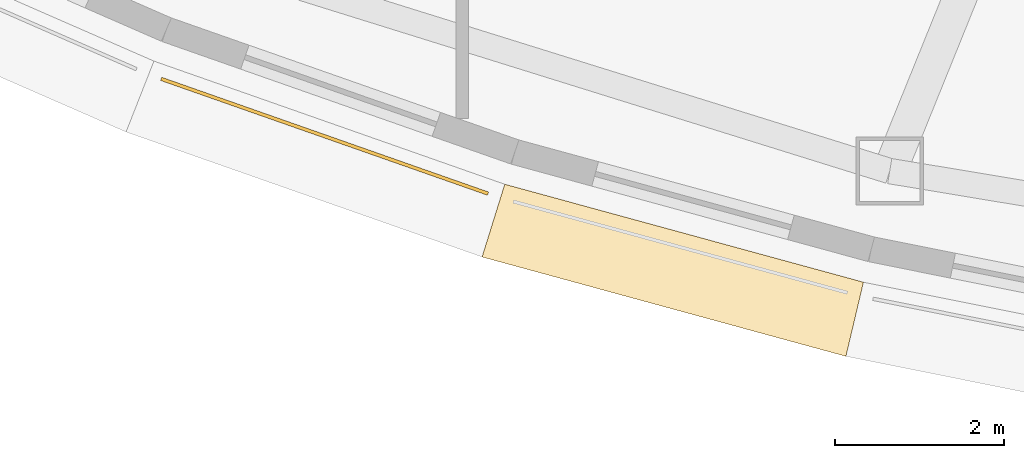
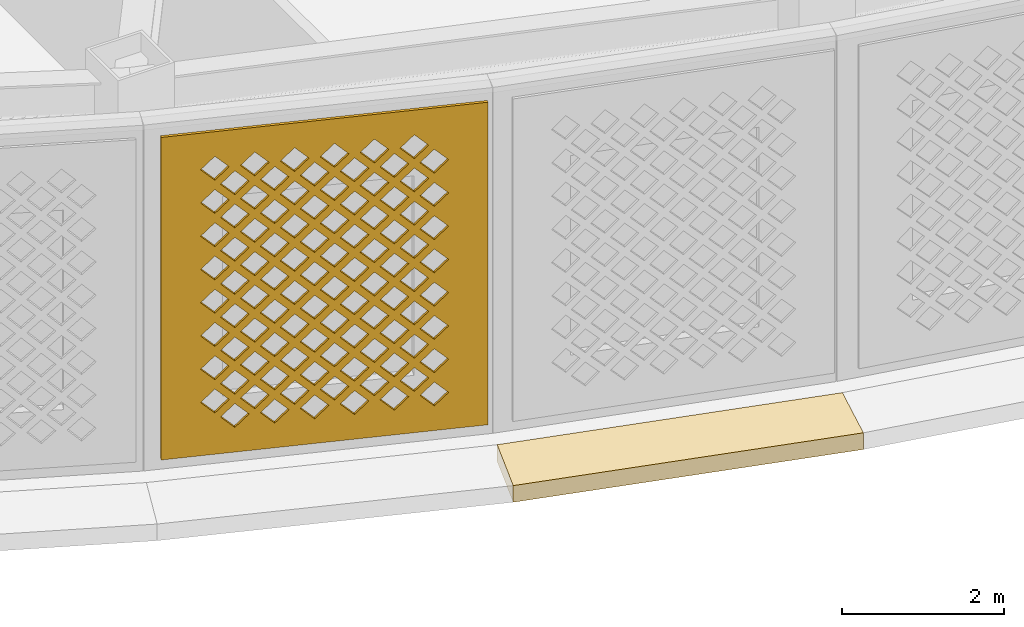
# One storey, part 42 of 63: 2 coverings.
"""IFC4 building model written with IfcOpenShell, lengths in metres."""

from ifc_helpers import new_model, si_unit, direction, frame, origin, place, context, subcontext, project, spatial, polyline, outline, extrude, material, layer, layer_set, type_object, element, save


model = new_model("IFC4")

# Units and contexts
model_context = context("Model", 3, precision=1e-05, world=origin(), true_north=direction((0.0, 1.0)))
body_context = subcontext(model_context, "Body", "Model", "MODEL_VIEW")
ifc_project = project(units=[si_unit("LENGTHUNIT", "METRE"), si_unit("AREAUNIT", "SQUARE_METRE"), si_unit("VOLUMEUNIT", "CUBIC_METRE"), si_unit("PLANEANGLEUNIT", "RADIAN"), si_unit("MASSUNIT", "GRAM", prefix="KILO")], contexts=[model_context])

# Site, building, storey
site_placement = place(None, origin())
site = spatial("IfcSite", under=ifc_project, at=site_placement, CompositionType="ELEMENT")
building_placement = place(site_placement, origin())
building = spatial("IfcBuilding", under=site, at=building_placement, Name="Noorbagh Ring Tower", CompositionType="ELEMENT")
storey_placement = place(building_placement, frame((0.0, 0.0, 25.0)))
storey = spatial("IfcBuildingStorey", under=building, at=storey_placement, Name="L04", CompositionType="ELEMENT", Elevation=25.0)

# Coverings
ifc_material_1 = material(Name="Red sandstone eave", Category="masonry")
covering_type_1 = type_object("IfcCoveringType", Name="STY-CHHAJJA", PredefinedType="USERDEFINED", material=ifc_material_1)
covering_1_placement = place(storey_placement, frame((0.0, 0.0, -0.25)))
element("IfcCovering", 1, at=covering_1_placement, inside=storey, type_object=covering_type_1, Name="Chhajja eave", ObjectType="CHHAJJA", PredefinedType="USERDEFINED", context=body_context, shape_type="SweptSolid", body=[
    extrude(outline(polyline([(-19.49853515625, -37.081298828125), (-15.2568359375, -38.239501953125), (-15.464111328125, -39.115966796875), (-19.7666015625, -37.941162109375), (-19.49853515625, -37.081298828125)])), origin(), (0.0, 0.0, 1.0), 0.25),
])
ifc_material_2 = material(Name="Red sandstone jali", Category="masonry")
ifc_layer = layer(ifc_material_2, 0.0400390625)
ifc_layer_set = layer_set([ifc_layer], Name="Red sandstone jali")
covering_type_2 = type_object("IfcCoveringType", Name="STY-JALI", PredefinedType="USERDEFINED", material=ifc_layer_set)
covering_2_placement = place(storey_placement, frame((-23.568603515625, -35.853759765625, 0.449951171875), z_axis=(-0.331258049676, -0.94354019762, 0.0), x_axis=(0.94354019762, -0.331258049676, 0.0)))
element("IfcCovering", 2, at=covering_2_placement, inside=storey, type_object=covering_type_2, Name="Jali screen", ObjectType="SCREEN", PredefinedType="USERDEFINED", context=body_context, shape_type="SweptSolid", body=[
    extrude(outline(polyline([(0.0, 0.0), (4.096923828125, 0.0), (4.096923828125, 4.85009765625), (0.0, 4.85009765625), (0.0, 0.0)]), holes=[polyline([(0.743408203125, 0.550048828125), (0.92333984375, 0.3701171875), (1.103515625, 0.550048828125), (0.92333984375, 0.72998046875), (0.743408203125, 0.550048828125)]), polyline([(1.243408203125, 0.550048828125), (1.42333984375, 0.3701171875), (1.603515625, 0.550048828125), (1.42333984375, 0.72998046875), (1.243408203125, 0.550048828125)]), polyline([(1.743408203125, 0.550048828125), (1.92333984375, 0.3701171875), (2.103515625, 0.550048828125), (1.92333984375, 0.72998046875), (1.743408203125, 0.550048828125)]), polyline([(2.243408203125, 0.550048828125), (2.42333984375, 0.3701171875), (2.603515625, 0.550048828125), (2.42333984375, 0.72998046875), (2.243408203125, 0.550048828125)]), polyline([(2.743408203125, 0.550048828125), (2.92333984375, 0.3701171875), (3.103515625, 0.550048828125), (2.92333984375, 0.72998046875), (2.743408203125, 0.550048828125)]), polyline([(3.243408203125, 0.550048828125), (3.42333984375, 0.3701171875), (3.603515625, 0.550048828125), (3.42333984375, 0.72998046875), (3.243408203125, 0.550048828125)]), polyline([(0.493408203125, 0.800048828125), (0.67333984375, 0.6201171875), (0.853515625, 0.800048828125), (0.67333984375, 0.97998046875), (0.493408203125, 0.800048828125)]), polyline([(0.993408203125, 0.800048828125), (1.17333984375, 0.6201171875), (1.353515625, 0.800048828125), (1.17333984375, 0.97998046875), (0.993408203125, 0.800048828125)]), polyline([(1.493408203125, 0.800048828125), (1.67333984375, 0.6201171875), (1.853515625, 0.800048828125), (1.67333984375, 0.97998046875), (1.493408203125, 0.800048828125)]), polyline([(1.993408203125, 0.800048828125), (2.17333984375, 0.6201171875), (2.353515625, 0.800048828125), (2.17333984375, 0.97998046875), (1.993408203125, 0.800048828125)]), polyline([(2.493408203125, 0.800048828125), (2.67333984375, 0.6201171875), (2.853515625, 0.800048828125), (2.67333984375, 0.97998046875), (2.493408203125, 0.800048828125)]), polyline([(2.993408203125, 0.800048828125), (3.17333984375, 0.6201171875), (3.353515625, 0.800048828125), (3.17333984375, 0.97998046875), (2.993408203125, 0.800048828125)]), polyline([(0.743408203125, 1.050048828125), (0.92333984375, 0.8701171875), (1.103515625, 1.050048828125), (0.92333984375, 1.22998046875), (0.743408203125, 1.050048828125)]), polyline([(1.243408203125, 1.050048828125), (1.42333984375, 0.8701171875), (1.603515625, 1.050048828125), (1.42333984375, 1.22998046875), (1.243408203125, 1.050048828125)]), polyline([(1.743408203125, 1.050048828125), (1.92333984375, 0.8701171875), (2.103515625, 1.050048828125), (1.92333984375, 1.22998046875), (1.743408203125, 1.050048828125)]), polyline([(2.243408203125, 1.050048828125), (2.42333984375, 0.8701171875), (2.603515625, 1.050048828125), (2.42333984375, 1.22998046875), (2.243408203125, 1.050048828125)]), polyline([(2.743408203125, 1.050048828125), (2.92333984375, 0.8701171875), (3.103515625, 1.050048828125), (2.92333984375, 1.22998046875), (2.743408203125, 1.050048828125)]), polyline([(3.243408203125, 1.050048828125), (3.42333984375, 0.8701171875), (3.603515625, 1.050048828125), (3.42333984375, 1.22998046875), (3.243408203125, 1.050048828125)]), polyline([(0.493408203125, 1.300048828125), (0.67333984375, 1.1201171875), (0.853515625, 1.300048828125), (0.67333984375, 1.47998046875), (0.493408203125, 1.300048828125)]), polyline([(0.993408203125, 1.300048828125), (1.17333984375, 1.1201171875), (1.353515625, 1.300048828125), (1.17333984375, 1.47998046875), (0.993408203125, 1.300048828125)]), polyline([(1.493408203125, 1.300048828125), (1.67333984375, 1.1201171875), (1.853515625, 1.300048828125), (1.67333984375, 1.47998046875), (1.493408203125, 1.300048828125)]), polyline([(1.993408203125, 1.300048828125), (2.17333984375, 1.1201171875), (2.353515625, 1.300048828125), (2.17333984375, 1.47998046875), (1.993408203125, 1.300048828125)]), polyline([(2.493408203125, 1.300048828125), (2.67333984375, 1.1201171875), (2.853515625, 1.300048828125), (2.67333984375, 1.47998046875), (2.493408203125, 1.300048828125)]), polyline([(2.993408203125, 1.300048828125), (3.17333984375, 1.1201171875), (3.353515625, 1.300048828125), (3.17333984375, 1.47998046875), (2.993408203125, 1.300048828125)]), polyline([(0.743408203125, 1.550048828125), (0.92333984375, 1.3701171875), (1.103515625, 1.550048828125), (0.92333984375, 1.72998046875), (0.743408203125, 1.550048828125)]), polyline([(1.243408203125, 1.550048828125), (1.42333984375, 1.3701171875), (1.603515625, 1.550048828125), (1.42333984375, 1.72998046875), (1.243408203125, 1.550048828125)]), polyline([(1.743408203125, 1.550048828125), (1.92333984375, 1.3701171875), (2.103515625, 1.550048828125), (1.92333984375, 1.72998046875), (1.743408203125, 1.550048828125)]), polyline([(2.243408203125, 1.550048828125), (2.42333984375, 1.3701171875), (2.603515625, 1.550048828125), (2.42333984375, 1.72998046875), (2.243408203125, 1.550048828125)]), polyline([(2.743408203125, 1.550048828125), (2.92333984375, 1.3701171875), (3.103515625, 1.550048828125), (2.92333984375, 1.72998046875), (2.743408203125, 1.550048828125)]), polyline([(3.243408203125, 1.550048828125), (3.42333984375, 1.3701171875), (3.603515625, 1.550048828125), (3.42333984375, 1.72998046875), (3.243408203125, 1.550048828125)]), polyline([(0.493408203125, 1.800048828125), (0.67333984375, 1.6201171875), (0.853515625, 1.800048828125), (0.67333984375, 1.97998046875), (0.493408203125, 1.800048828125)]), polyline([(0.993408203125, 1.800048828125), (1.17333984375, 1.6201171875), (1.353515625, 1.800048828125), (1.17333984375, 1.97998046875), (0.993408203125, 1.800048828125)]), polyline([(1.493408203125, 1.800048828125), (1.67333984375, 1.6201171875), (1.853515625, 1.800048828125), (1.67333984375, 1.97998046875), (1.493408203125, 1.800048828125)]), polyline([(1.993408203125, 1.800048828125), (2.17333984375, 1.6201171875), (2.353515625, 1.800048828125), (2.17333984375, 1.97998046875), (1.993408203125, 1.800048828125)]), polyline([(2.493408203125, 1.800048828125), (2.67333984375, 1.6201171875), (2.853515625, 1.800048828125), (2.67333984375, 1.97998046875), (2.493408203125, 1.800048828125)]), polyline([(2.993408203125, 1.800048828125), (3.17333984375, 1.6201171875), (3.353515625, 1.800048828125), (3.17333984375, 1.97998046875), (2.993408203125, 1.800048828125)]), polyline([(0.743408203125, 2.050048828125), (0.92333984375, 1.8701171875), (1.103515625, 2.050048828125), (0.92333984375, 2.22998046875), (0.743408203125, 2.050048828125)]), polyline([(1.243408203125, 2.050048828125), (1.42333984375, 1.8701171875), (1.603515625, 2.050048828125), (1.42333984375, 2.22998046875), (1.243408203125, 2.050048828125)]), polyline([(1.743408203125, 2.050048828125), (1.92333984375, 1.8701171875), (2.103515625, 2.050048828125), (1.92333984375, 2.22998046875), (1.743408203125, 2.050048828125)]), polyline([(2.243408203125, 2.050048828125), (2.42333984375, 1.8701171875), (2.603515625, 2.050048828125), (2.42333984375, 2.22998046875), (2.243408203125, 2.050048828125)]), polyline([(2.743408203125, 2.050048828125), (2.92333984375, 1.8701171875), (3.103515625, 2.050048828125), (2.92333984375, 2.22998046875), (2.743408203125, 2.050048828125)]), polyline([(3.243408203125, 2.050048828125), (3.42333984375, 1.8701171875), (3.603515625, 2.050048828125), (3.42333984375, 2.22998046875), (3.243408203125, 2.050048828125)]), polyline([(0.493408203125, 2.300048828125), (0.67333984375, 2.1201171875), (0.853515625, 2.300048828125), (0.67333984375, 2.47998046875), (0.493408203125, 2.300048828125)]), polyline([(0.993408203125, 2.300048828125), (1.17333984375, 2.1201171875), (1.353515625, 2.300048828125), (1.17333984375, 2.47998046875), (0.993408203125, 2.300048828125)]), polyline([(1.493408203125, 2.300048828125), (1.67333984375, 2.1201171875), (1.853515625, 2.300048828125), (1.67333984375, 2.47998046875), (1.493408203125, 2.300048828125)]), polyline([(1.993408203125, 2.300048828125), (2.17333984375, 2.1201171875), (2.353515625, 2.300048828125), (2.17333984375, 2.47998046875), (1.993408203125, 2.300048828125)]), polyline([(2.493408203125, 2.300048828125), (2.67333984375, 2.1201171875), (2.853515625, 2.300048828125), (2.67333984375, 2.47998046875), (2.493408203125, 2.300048828125)]), polyline([(2.993408203125, 2.300048828125), (3.17333984375, 2.1201171875), (3.353515625, 2.300048828125), (3.17333984375, 2.47998046875), (2.993408203125, 2.300048828125)]), polyline([(0.743408203125, 2.550048828125), (0.92333984375, 2.3701171875), (1.103515625, 2.550048828125), (0.92333984375, 2.72998046875), (0.743408203125, 2.550048828125)]), polyline([(1.243408203125, 2.550048828125), (1.42333984375, 2.3701171875), (1.603515625, 2.550048828125), (1.42333984375, 2.72998046875), (1.243408203125, 2.550048828125)]), polyline([(1.743408203125, 2.550048828125), (1.92333984375, 2.3701171875), (2.103515625, 2.550048828125), (1.92333984375, 2.72998046875), (1.743408203125, 2.550048828125)]), polyline([(2.243408203125, 2.550048828125), (2.42333984375, 2.3701171875), (2.603515625, 2.550048828125), (2.42333984375, 2.72998046875), (2.243408203125, 2.550048828125)]), polyline([(2.743408203125, 2.550048828125), (2.92333984375, 2.3701171875), (3.103515625, 2.550048828125), (2.92333984375, 2.72998046875), (2.743408203125, 2.550048828125)]), polyline([(3.243408203125, 2.550048828125), (3.42333984375, 2.3701171875), (3.603515625, 2.550048828125), (3.42333984375, 2.72998046875), (3.243408203125, 2.550048828125)]), polyline([(0.493408203125, 2.800048828125), (0.67333984375, 2.6201171875), (0.853515625, 2.800048828125), (0.67333984375, 2.97998046875), (0.493408203125, 2.800048828125)]), polyline([(0.993408203125, 2.800048828125), (1.17333984375, 2.6201171875), (1.353515625, 2.800048828125), (1.17333984375, 2.97998046875), (0.993408203125, 2.800048828125)]), polyline([(1.493408203125, 2.800048828125), (1.67333984375, 2.6201171875), (1.853515625, 2.800048828125), (1.67333984375, 2.97998046875), (1.493408203125, 2.800048828125)]), polyline([(1.993408203125, 2.800048828125), (2.17333984375, 2.6201171875), (2.353515625, 2.800048828125), (2.17333984375, 2.97998046875), (1.993408203125, 2.800048828125)]), polyline([(2.493408203125, 2.800048828125), (2.67333984375, 2.6201171875), (2.853515625, 2.800048828125), (2.67333984375, 2.97998046875), (2.493408203125, 2.800048828125)]), polyline([(2.993408203125, 2.800048828125), (3.17333984375, 2.6201171875), (3.353515625, 2.800048828125), (3.17333984375, 2.97998046875), (2.993408203125, 2.800048828125)]), polyline([(0.743408203125, 3.050048828125), (0.92333984375, 2.8701171875), (1.103515625, 3.050048828125), (0.92333984375, 3.22998046875), (0.743408203125, 3.050048828125)]), polyline([(1.243408203125, 3.050048828125), (1.42333984375, 2.8701171875), (1.603515625, 3.050048828125), (1.42333984375, 3.22998046875), (1.243408203125, 3.050048828125)]), polyline([(1.743408203125, 3.050048828125), (1.92333984375, 2.8701171875), (2.103515625, 3.050048828125), (1.92333984375, 3.22998046875), (1.743408203125, 3.050048828125)]), polyline([(2.243408203125, 3.050048828125), (2.42333984375, 2.8701171875), (2.603515625, 3.050048828125), (2.42333984375, 3.22998046875), (2.243408203125, 3.050048828125)]), polyline([(2.743408203125, 3.050048828125), (2.92333984375, 2.8701171875), (3.103515625, 3.050048828125), (2.92333984375, 3.22998046875), (2.743408203125, 3.050048828125)]), polyline([(3.243408203125, 3.050048828125), (3.42333984375, 2.8701171875), (3.603515625, 3.050048828125), (3.42333984375, 3.22998046875), (3.243408203125, 3.050048828125)]), polyline([(0.493408203125, 3.300048828125), (0.67333984375, 3.1201171875), (0.853515625, 3.300048828125), (0.67333984375, 3.47998046875), (0.493408203125, 3.300048828125)]), polyline([(0.993408203125, 3.300048828125), (1.17333984375, 3.1201171875), (1.353515625, 3.300048828125), (1.17333984375, 3.47998046875), (0.993408203125, 3.300048828125)]), polyline([(1.493408203125, 3.300048828125), (1.67333984375, 3.1201171875), (1.853515625, 3.300048828125), (1.67333984375, 3.47998046875), (1.493408203125, 3.300048828125)]), polyline([(1.993408203125, 3.300048828125), (2.17333984375, 3.1201171875), (2.353515625, 3.300048828125), (2.17333984375, 3.47998046875), (1.993408203125, 3.300048828125)]), polyline([(2.493408203125, 3.300048828125), (2.67333984375, 3.1201171875), (2.853515625, 3.300048828125), (2.67333984375, 3.47998046875), (2.493408203125, 3.300048828125)]), polyline([(2.993408203125, 3.300048828125), (3.17333984375, 3.1201171875), (3.353515625, 3.300048828125), (3.17333984375, 3.47998046875), (2.993408203125, 3.300048828125)]), polyline([(0.743408203125, 3.550048828125), (0.92333984375, 3.3701171875), (1.103515625, 3.550048828125), (0.92333984375, 3.72998046875), (0.743408203125, 3.550048828125)]), polyline([(1.243408203125, 3.550048828125), (1.42333984375, 3.3701171875), (1.603515625, 3.550048828125), (1.42333984375, 3.72998046875), (1.243408203125, 3.550048828125)]), polyline([(1.743408203125, 3.550048828125), (1.92333984375, 3.3701171875), (2.103515625, 3.550048828125), (1.92333984375, 3.72998046875), (1.743408203125, 3.550048828125)]), polyline([(2.243408203125, 3.550048828125), (2.42333984375, 3.3701171875), (2.603515625, 3.550048828125), (2.42333984375, 3.72998046875), (2.243408203125, 3.550048828125)]), polyline([(2.743408203125, 3.550048828125), (2.92333984375, 3.3701171875), (3.103515625, 3.550048828125), (2.92333984375, 3.72998046875), (2.743408203125, 3.550048828125)]), polyline([(3.243408203125, 3.550048828125), (3.42333984375, 3.3701171875), (3.603515625, 3.550048828125), (3.42333984375, 3.72998046875), (3.243408203125, 3.550048828125)]), polyline([(0.493408203125, 3.800048828125), (0.67333984375, 3.6201171875), (0.853515625, 3.800048828125), (0.67333984375, 3.97998046875), (0.493408203125, 3.800048828125)]), polyline([(0.993408203125, 3.800048828125), (1.17333984375, 3.6201171875), (1.353515625, 3.800048828125), (1.17333984375, 3.97998046875), (0.993408203125, 3.800048828125)]), polyline([(1.493408203125, 3.800048828125), (1.67333984375, 3.6201171875), (1.853515625, 3.800048828125), (1.67333984375, 3.97998046875), (1.493408203125, 3.800048828125)]), polyline([(1.993408203125, 3.800048828125), (2.17333984375, 3.6201171875), (2.353515625, 3.800048828125), (2.17333984375, 3.97998046875), (1.993408203125, 3.800048828125)]), polyline([(2.493408203125, 3.800048828125), (2.67333984375, 3.6201171875), (2.853515625, 3.800048828125), (2.67333984375, 3.97998046875), (2.493408203125, 3.800048828125)]), polyline([(2.993408203125, 3.800048828125), (3.17333984375, 3.6201171875), (3.353515625, 3.800048828125), (3.17333984375, 3.97998046875), (2.993408203125, 3.800048828125)]), polyline([(0.743408203125, 4.050048828125), (0.92333984375, 3.8701171875), (1.103515625, 4.050048828125), (0.92333984375, 4.22998046875), (0.743408203125, 4.050048828125)]), polyline([(1.243408203125, 4.050048828125), (1.42333984375, 3.8701171875), (1.603515625, 4.050048828125), (1.42333984375, 4.22998046875), (1.243408203125, 4.050048828125)]), polyline([(1.743408203125, 4.050048828125), (1.92333984375, 3.8701171875), (2.103515625, 4.050048828125), (1.92333984375, 4.22998046875), (1.743408203125, 4.050048828125)]), polyline([(2.243408203125, 4.050048828125), (2.42333984375, 3.8701171875), (2.603515625, 4.050048828125), (2.42333984375, 4.22998046875), (2.243408203125, 4.050048828125)]), polyline([(2.743408203125, 4.050048828125), (2.92333984375, 3.8701171875), (3.103515625, 4.050048828125), (2.92333984375, 4.22998046875), (2.743408203125, 4.050048828125)]), polyline([(3.243408203125, 4.050048828125), (3.42333984375, 3.8701171875), (3.603515625, 4.050048828125), (3.42333984375, 4.22998046875), (3.243408203125, 4.050048828125)]), polyline([(0.493408203125, 4.300048828125), (0.67333984375, 4.1201171875), (0.853515625, 4.300048828125), (0.67333984375, 4.47998046875), (0.493408203125, 4.300048828125)]), polyline([(0.993408203125, 4.300048828125), (1.17333984375, 4.1201171875), (1.353515625, 4.300048828125), (1.17333984375, 4.47998046875), (0.993408203125, 4.300048828125)]), polyline([(1.493408203125, 4.300048828125), (1.67333984375, 4.1201171875), (1.853515625, 4.300048828125), (1.67333984375, 4.47998046875), (1.493408203125, 4.300048828125)]), polyline([(1.993408203125, 4.300048828125), (2.17333984375, 4.1201171875), (2.353515625, 4.300048828125), (2.17333984375, 4.47998046875), (1.993408203125, 4.300048828125)]), polyline([(2.493408203125, 4.300048828125), (2.67333984375, 4.1201171875), (2.853515625, 4.300048828125), (2.67333984375, 4.47998046875), (2.493408203125, 4.300048828125)]), polyline([(2.993408203125, 4.300048828125), (3.17333984375, 4.1201171875), (3.353515625, 4.300048828125), (3.17333984375, 4.47998046875), (2.993408203125, 4.300048828125)])]), origin(), (0.0, 0.0, -1.0), 0.0400390625),
])

save(model, "model.ifc")
